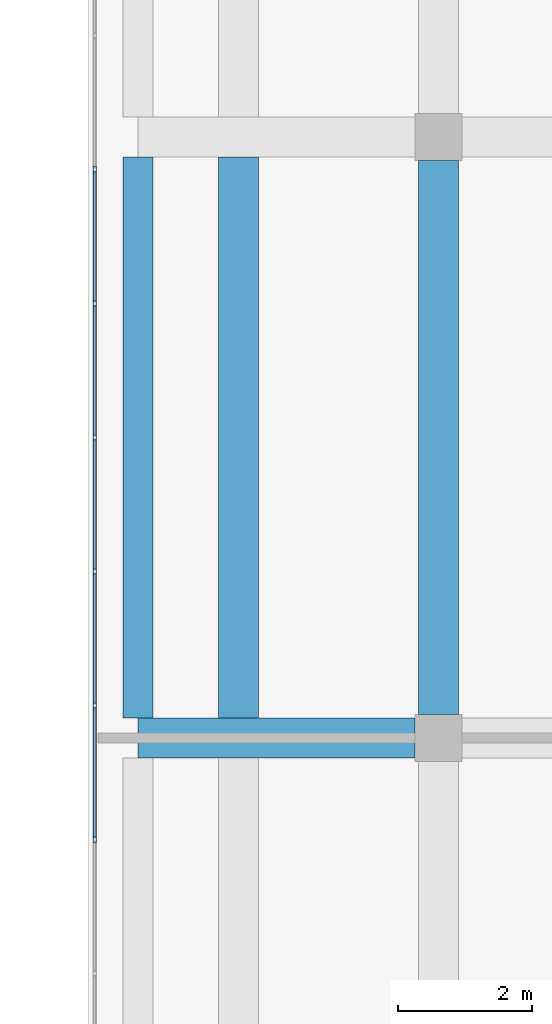
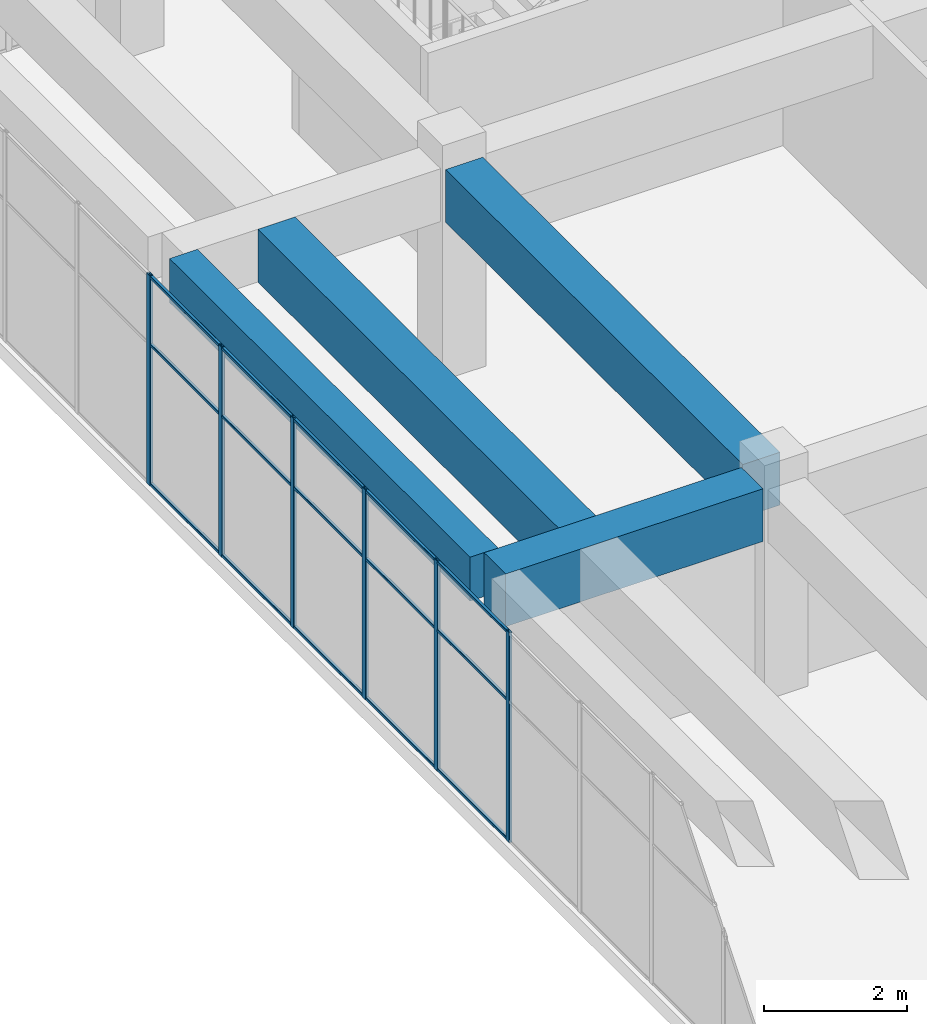
# One storey, part 8 of 32: 21 members, 4 beams, 1 element without a shape of its own.
"""IFC4 building model written with IfcOpenShell, lengths in metres."""

from ifc_helpers import new_model, si_unit, direction, frame, origin, origin_2d, place, context, subcontext, project, spatial, rectangle, hollow_rectangle, extrude, material, layer, layer_set, material_profile, profile_set, type_object, element, aggregate, save


model = new_model("IFC4")

# Units and contexts
model_context = context("Model", 3, precision=1e-05, world=origin(), true_north=direction((0.0, 1.0)))
body_context = subcontext(model_context, "Body", "Model", "MODEL_VIEW")
ifc_project = project(units=[si_unit("LENGTHUNIT", "METRE"), si_unit("AREAUNIT", "SQUARE_METRE"), si_unit("VOLUMEUNIT", "CUBIC_METRE"), si_unit("PLANEANGLEUNIT", "RADIAN"), si_unit("MASSUNIT", "GRAM", prefix="KILO")], contexts=[model_context])

# Site, building, storey
site_placement = place(None, origin())
site = spatial("IfcSite", under=ifc_project, at=site_placement, CompositionType="ELEMENT")
building_placement = place(site_placement, origin())
building = spatial("IfcBuilding", under=site, at=building_placement, Name="Tuart Plaza Theatre", CompositionType="ELEMENT")
storey_placement = place(building_placement, frame((0.0, 0.0, 37.5)))
storey = spatial("IfcBuildingStorey", under=building, at=storey_placement, Name="L09", CompositionType="ELEMENT", Elevation=37.5)

# Beams
ifc_material_1 = material(Name="Concrete N40 (40 MPa)", Category="concrete")
ifc_material_profile_1 = material_profile(ifc_material_1, rectangle(XDim=0.449951171875, YDim=0.75, at=origin_2d()), Name="BEAM 450x750 Concrete N40 (40 MPa)")
ifc_profile_set_1 = profile_set([ifc_material_profile_1], Name="Concrete N40 (40 MPa)")
beam_type_1 = type_object("IfcBeamType", Name="BEAM 450x750 Concrete N40 (40 MPa)", PredefinedType="BEAM", material=ifc_profile_set_1)
beam_1_placement = place(storey_placement, frame((109.5, 74.300048828125, 3.205078125), z_axis=(0.0, 1.0, 0.0), x_axis=(-1.0, 0.0, 0.0)))
element("IfcBeam", 1, at=beam_1_placement, inside=storey, type_object=beam_type_1, Name="RB250", PredefinedType="BEAM", context=body_context, shape_type="SweptSolid", body=[
    extrude(rectangle(XDim=0.449951171875, YDim=0.75, at=origin_2d()), origin(), (0.0, 0.0, 1.0), 8.39990234375),
])
ifc_material_2 = material(Name="Concrete N40 (40 MPa)", Category="concrete")
ifc_material_profile_2 = material_profile(ifc_material_2, rectangle(XDim=0.60009765625, YDim=0.89990234375, at=origin_2d()), Name="BEAM 600x900 Concrete N40 (40 MPa)")
ifc_profile_set_2 = profile_set([ifc_material_profile_2], Name="Concrete N40 (40 MPa)")
beam_type_2 = type_object("IfcBeamType", Name="BEAM 600x900 Concrete N40 (40 MPa)", PredefinedType="BEAM", material=ifc_profile_set_2)
beam_2_placement = place(storey_placement, frame((109.5, 74.0, 3.1298828125), z_axis=(1.0, 0.0, 0.0), x_axis=(0.0, 1.0, 0.0)))
element("IfcBeam", 2, at=beam_2_placement, inside=storey, type_object=beam_type_2, Name="RB251", PredefinedType="BEAM", context=body_context, shape_type="SweptSolid", body=[
    extrude(rectangle(XDim=0.60009765625, YDim=0.89990234375, at=origin_2d()), origin(), (0.0, 0.0, 1.0), 4.14990234375),
])
beam_3_placement = place(storey_placement, frame((111.0, 74.300048828125, 3.1298828125), z_axis=(0.0, 1.0, 0.0), x_axis=(-1.0, 0.0, 0.0)))
element("IfcBeam", 3, at=beam_3_placement, inside=storey, type_object=beam_type_2, Name="RB280", PredefinedType="BEAM", context=body_context, shape_type="SweptSolid", body=[
    extrude(rectangle(XDim=0.60009765625, YDim=0.89990234375, at=origin_2d()), origin(), (0.0, 0.0, 1.0), 8.39990234375),
])
beam_4_placement = place(storey_placement, frame((114.0, 74.35009765625, 3.1298828125), z_axis=(0.0, 1.0, 0.0), x_axis=(-1.0, 0.0, 0.0)))
element("IfcBeam", 4, at=beam_4_placement, inside=storey, type_object=beam_type_2, Name="RB259", PredefinedType="BEAM", context=body_context, shape_type="SweptSolid", body=[
    extrude(rectangle(XDim=0.60009765625, YDim=0.89990234375, at=origin_2d()), origin(), (0.0, 0.0, 1.0), 8.2998046875),
])

# Curtain wall, members
ifc_material_3 = material(Name="Aluminium and glass", Category="aluminium")
ifc_layer = layer(ifc_material_3, 0.10009765625)
ifc_layer_set = layer_set([ifc_layer], Name="CURTAIN WALL 2000 module")
curtain_wall_type = type_object("IfcCurtainWallType", Name="CURTAIN WALL 2000 module", PredefinedType="NOTDEFINED", material=ifc_layer_set)
curtain_wall_placement = place(storey_placement, origin())
curtain_wall = element("IfcCurtainWall", 5, at=curtain_wall_placement, inside=storey, type_object=curtain_wall_type, Name="CW97", PredefinedType="NOTDEFINED")
ifc_material_4 = material(Name="Aluminium 6063-T5", Category="aluminium")
ifc_material_profile_3 = material_profile(ifc_material_4, hollow_rectangle(XDim=0.050048828125, YDim=0.10009765625, WallThickness=0.00390625, InnerFilletRadius=0.00390625, OuterFilletRadius=0.008056640625, at=origin_2d()), Name="RHS 100x50x4")
ifc_profile_set_3 = profile_set([ifc_material_profile_3], Name="Aluminium 6063-T5")
member_type_1 = type_object("IfcMemberType", Name="MULLION RHS 100x50x4", PredefinedType="MULLION", material=ifc_profile_set_3)
member_1_placement = place(storey_placement, frame((108.85009765625, 82.514404296875, 0.0), z_axis=(0.0, 0.0, 1.0), x_axis=(1.0, 0.0, 0.0)))
member_1 = element("IfcMember", 6, at=member_1_placement, type_object=member_type_1, Name="CW97 mullion 6", PredefinedType="MULLION", context=body_context, shape_type="SweptSolid", body=[
    extrude(hollow_rectangle(XDim=0.050048828125, YDim=0.10009765625, WallThickness=0.00390625, InnerFilletRadius=0.00390625, OuterFilletRadius=0.008056640625, at=origin_2d()), origin(), (0.0, 0.0, 1.0), 3.580078125),
])
member_2_placement = place(storey_placement, frame((108.85009765625, 80.507080078125, 0.0), z_axis=(0.0, 0.0, 1.0), x_axis=(1.0, 0.0, 0.0)))
member_2 = element("IfcMember", 7, at=member_2_placement, type_object=member_type_1, Name="CW97 mullion 7", PredefinedType="MULLION", context=body_context, shape_type="SweptSolid", body=[
    extrude(hollow_rectangle(XDim=0.050048828125, YDim=0.10009765625, WallThickness=0.00390625, InnerFilletRadius=0.00390625, OuterFilletRadius=0.008056640625, at=origin_2d()), origin(), (0.0, 0.0, 1.0), 3.580078125),
])
member_3_placement = place(storey_placement, frame((108.85009765625, 78.5, 0.0), z_axis=(0.0, 0.0, 1.0), x_axis=(1.0, 0.0, 0.0)))
member_3 = element("IfcMember", 8, at=member_3_placement, type_object=member_type_1, Name="CW97 mullion 8", PredefinedType="MULLION", context=body_context, shape_type="SweptSolid", body=[
    extrude(hollow_rectangle(XDim=0.050048828125, YDim=0.10009765625, WallThickness=0.00390625, InnerFilletRadius=0.00390625, OuterFilletRadius=0.008056640625, at=origin_2d()), origin(), (0.0, 0.0, 1.0), 3.580078125),
])
member_4_placement = place(storey_placement, frame((108.85009765625, 76.492919921875, 0.0), z_axis=(0.0, 0.0, 1.0), x_axis=(1.0, 0.0, 0.0)))
member_4 = element("IfcMember", 9, at=member_4_placement, type_object=member_type_1, Name="CW97 mullion 9", PredefinedType="MULLION", context=body_context, shape_type="SweptSolid", body=[
    extrude(hollow_rectangle(XDim=0.050048828125, YDim=0.10009765625, WallThickness=0.00390625, InnerFilletRadius=0.00390625, OuterFilletRadius=0.008056640625, at=origin_2d()), origin(), (0.0, 0.0, 1.0), 3.580078125),
])
member_5_placement = place(storey_placement, frame((108.85009765625, 74.485595703125, 0.0), z_axis=(0.0, 0.0, 1.0), x_axis=(1.0, 0.0, 0.0)))
member_5 = element("IfcMember", 10, at=member_5_placement, type_object=member_type_1, Name="CW97 mullion 10", PredefinedType="MULLION", context=body_context, shape_type="SweptSolid", body=[
    extrude(hollow_rectangle(XDim=0.050048828125, YDim=0.10009765625, WallThickness=0.00390625, InnerFilletRadius=0.00390625, OuterFilletRadius=0.008056640625, at=origin_2d()), origin(), (0.0, 0.0, 1.0), 3.580078125),
])
member_6_placement = place(storey_placement, frame((108.85009765625, 72.478515625, 0.0), z_axis=(0.0, 0.0, 1.0), x_axis=(1.0, 0.0, 0.0)))
member_6 = element("IfcMember", 11, at=member_6_placement, type_object=member_type_1, Name="CW97 mullion 11", PredefinedType="MULLION", context=body_context, shape_type="SweptSolid", body=[
    extrude(hollow_rectangle(XDim=0.050048828125, YDim=0.10009765625, WallThickness=0.00390625, InnerFilletRadius=0.00390625, OuterFilletRadius=0.008056640625, at=origin_2d()), origin(), (0.0, 0.0, 1.0), 3.580078125),
])
ifc_material_5 = material(Name="Aluminium 6063-T5", Category="aluminium")
ifc_material_profile_4 = material_profile(ifc_material_5, hollow_rectangle(XDim=0.050048828125, YDim=0.050048828125, WallThickness=0.00390625, InnerFilletRadius=0.00390625, OuterFilletRadius=0.008056640625, at=origin_2d()), Name="RHS 50x50x4")
ifc_profile_set_4 = profile_set([ifc_material_profile_4], Name="Aluminium 6063-T5")
member_type_2 = type_object("IfcMemberType", Name="TRANSOM RHS 50x50x4", PredefinedType="USERDEFINED", material=ifc_profile_set_4)
member_7_placement = place(storey_placement, frame((108.85009765625, 82.4892578125, 0.02490234375), z_axis=(0.0, -1.0, 0.0), x_axis=(1.0, 0.0, 0.0)))
member_7 = element("IfcMember", 12, at=member_7_placement, type_object=member_type_2, Name="CW97 transom 6.1", ObjectType="TRANSOM", PredefinedType="USERDEFINED", context=body_context, shape_type="SweptSolid", body=[
    extrude(hollow_rectangle(XDim=0.050048828125, YDim=0.050048828125, WallThickness=0.00390625, InnerFilletRadius=0.00390625, OuterFilletRadius=0.008056640625, at=origin_2d()), origin(), (0.0, 0.0, 1.0), 1.95703125),
])
member_8_placement = place(storey_placement, frame((108.85009765625, 82.4892578125, 2.39990234375), z_axis=(0.0, -1.0, 0.0), x_axis=(1.0, 0.0, 0.0)))
member_8 = element("IfcMember", 13, at=member_8_placement, type_object=member_type_2, Name="CW97 transom 6.2", ObjectType="TRANSOM", PredefinedType="USERDEFINED", context=body_context, shape_type="SweptSolid", body=[
    extrude(hollow_rectangle(XDim=0.050048828125, YDim=0.050048828125, WallThickness=0.00390625, InnerFilletRadius=0.00390625, OuterFilletRadius=0.008056640625, at=origin_2d()), origin(), (0.0, 0.0, 1.0), 1.95703125),
])
member_9_placement = place(storey_placement, frame((108.85009765625, 82.4892578125, 3.554931640625), z_axis=(0.0, -1.0, 0.0), x_axis=(1.0, 0.0, 0.0)))
member_9 = element("IfcMember", 14, at=member_9_placement, type_object=member_type_2, Name="CW97 transom 6.3", ObjectType="TRANSOM", PredefinedType="USERDEFINED", context=body_context, shape_type="SweptSolid", body=[
    extrude(hollow_rectangle(XDim=0.050048828125, YDim=0.050048828125, WallThickness=0.00390625, InnerFilletRadius=0.00390625, OuterFilletRadius=0.008056640625, at=origin_2d()), origin(), (0.0, 0.0, 1.0), 1.95703125),
])
member_10_placement = place(storey_placement, frame((108.85009765625, 80.482177734375, 0.02490234375), z_axis=(0.0, -1.0, 0.0), x_axis=(1.0, 0.0, 0.0)))
member_10 = element("IfcMember", 15, at=member_10_placement, type_object=member_type_2, Name="CW97 transom 7.1", ObjectType="TRANSOM", PredefinedType="USERDEFINED", context=body_context, shape_type="SweptSolid", body=[
    extrude(hollow_rectangle(XDim=0.050048828125, YDim=0.050048828125, WallThickness=0.00390625, InnerFilletRadius=0.00390625, OuterFilletRadius=0.008056640625, at=origin_2d()), origin(), (0.0, 0.0, 1.0), 1.957275390625),
])
member_11_placement = place(storey_placement, frame((108.85009765625, 80.482177734375, 2.39990234375), z_axis=(0.0, -1.0, 0.0), x_axis=(1.0, 0.0, 0.0)))
member_11 = element("IfcMember", 16, at=member_11_placement, type_object=member_type_2, Name="CW97 transom 7.2", ObjectType="TRANSOM", PredefinedType="USERDEFINED", context=body_context, shape_type="SweptSolid", body=[
    extrude(hollow_rectangle(XDim=0.050048828125, YDim=0.050048828125, WallThickness=0.00390625, InnerFilletRadius=0.00390625, OuterFilletRadius=0.008056640625, at=origin_2d()), origin(), (0.0, 0.0, 1.0), 1.957275390625),
])
member_12_placement = place(storey_placement, frame((108.85009765625, 80.482177734375, 3.554931640625), z_axis=(0.0, -1.0, 0.0), x_axis=(1.0, 0.0, 0.0)))
member_12 = element("IfcMember", 17, at=member_12_placement, type_object=member_type_2, Name="CW97 transom 7.3", ObjectType="TRANSOM", PredefinedType="USERDEFINED", context=body_context, shape_type="SweptSolid", body=[
    extrude(hollow_rectangle(XDim=0.050048828125, YDim=0.050048828125, WallThickness=0.00390625, InnerFilletRadius=0.00390625, OuterFilletRadius=0.008056640625, at=origin_2d()), origin(), (0.0, 0.0, 1.0), 1.957275390625),
])
member_13_placement = place(storey_placement, frame((108.85009765625, 78.47509765625, 0.02490234375), z_axis=(0.0, -1.0, 0.0), x_axis=(1.0, 0.0, 0.0)))
member_13 = element("IfcMember", 18, at=member_13_placement, type_object=member_type_2, Name="CW97 transom 8.1", ObjectType="TRANSOM", PredefinedType="USERDEFINED", context=body_context, shape_type="SweptSolid", body=[
    extrude(hollow_rectangle(XDim=0.050048828125, YDim=0.050048828125, WallThickness=0.00390625, InnerFilletRadius=0.00390625, OuterFilletRadius=0.008056640625, at=origin_2d()), origin(), (0.0, 0.0, 1.0), 1.957275390625),
])
member_14_placement = place(storey_placement, frame((108.85009765625, 78.47509765625, 2.39990234375), z_axis=(0.0, -1.0, 0.0), x_axis=(1.0, 0.0, 0.0)))
member_14 = element("IfcMember", 19, at=member_14_placement, type_object=member_type_2, Name="CW97 transom 8.2", ObjectType="TRANSOM", PredefinedType="USERDEFINED", context=body_context, shape_type="SweptSolid", body=[
    extrude(hollow_rectangle(XDim=0.050048828125, YDim=0.050048828125, WallThickness=0.00390625, InnerFilletRadius=0.00390625, OuterFilletRadius=0.008056640625, at=origin_2d()), origin(), (0.0, 0.0, 1.0), 1.957275390625),
])
member_15_placement = place(storey_placement, frame((108.85009765625, 78.47509765625, 3.554931640625), z_axis=(0.0, -1.0, 0.0), x_axis=(1.0, 0.0, 0.0)))
member_15 = element("IfcMember", 20, at=member_15_placement, type_object=member_type_2, Name="CW97 transom 8.3", ObjectType="TRANSOM", PredefinedType="USERDEFINED", context=body_context, shape_type="SweptSolid", body=[
    extrude(hollow_rectangle(XDim=0.050048828125, YDim=0.050048828125, WallThickness=0.00390625, InnerFilletRadius=0.00390625, OuterFilletRadius=0.008056640625, at=origin_2d()), origin(), (0.0, 0.0, 1.0), 1.957275390625),
])
member_16_placement = place(storey_placement, frame((108.85009765625, 76.4677734375, 0.02490234375), z_axis=(0.0, -1.0, 0.0), x_axis=(1.0, 0.0, 0.0)))
member_16 = element("IfcMember", 21, at=member_16_placement, type_object=member_type_2, Name="CW97 transom 9.1", ObjectType="TRANSOM", PredefinedType="USERDEFINED", context=body_context, shape_type="SweptSolid", body=[
    extrude(hollow_rectangle(XDim=0.050048828125, YDim=0.050048828125, WallThickness=0.00390625, InnerFilletRadius=0.00390625, OuterFilletRadius=0.008056640625, at=origin_2d()), origin(), (0.0, 0.0, 1.0), 1.95703125),
])
member_17_placement = place(storey_placement, frame((108.85009765625, 76.4677734375, 2.39990234375), z_axis=(0.0, -1.0, 0.0), x_axis=(1.0, 0.0, 0.0)))
member_17 = element("IfcMember", 22, at=member_17_placement, type_object=member_type_2, Name="CW97 transom 9.2", ObjectType="TRANSOM", PredefinedType="USERDEFINED", context=body_context, shape_type="SweptSolid", body=[
    extrude(hollow_rectangle(XDim=0.050048828125, YDim=0.050048828125, WallThickness=0.00390625, InnerFilletRadius=0.00390625, OuterFilletRadius=0.008056640625, at=origin_2d()), origin(), (0.0, 0.0, 1.0), 1.95703125),
])
member_18_placement = place(storey_placement, frame((108.85009765625, 76.4677734375, 3.554931640625), z_axis=(0.0, -1.0, 0.0), x_axis=(1.0, 0.0, 0.0)))
member_18 = element("IfcMember", 23, at=member_18_placement, type_object=member_type_2, Name="CW97 transom 9.3", ObjectType="TRANSOM", PredefinedType="USERDEFINED", context=body_context, shape_type="SweptSolid", body=[
    extrude(hollow_rectangle(XDim=0.050048828125, YDim=0.050048828125, WallThickness=0.00390625, InnerFilletRadius=0.00390625, OuterFilletRadius=0.008056640625, at=origin_2d()), origin(), (0.0, 0.0, 1.0), 1.95703125),
])
member_19_placement = place(storey_placement, frame((108.85009765625, 74.460693359375, 0.02490234375), z_axis=(0.0, -1.0, 0.0), x_axis=(1.0, 0.0, 0.0)))
member_19 = element("IfcMember", 24, at=member_19_placement, type_object=member_type_2, Name="CW97 transom 10.1", ObjectType="TRANSOM", PredefinedType="USERDEFINED", context=body_context, shape_type="SweptSolid", body=[
    extrude(hollow_rectangle(XDim=0.050048828125, YDim=0.050048828125, WallThickness=0.00390625, InnerFilletRadius=0.00390625, OuterFilletRadius=0.008056640625, at=origin_2d()), origin(), (0.0, 0.0, 1.0), 1.95703125),
])
member_20_placement = place(storey_placement, frame((108.85009765625, 74.460693359375, 2.39990234375), z_axis=(0.0, -1.0, 0.0), x_axis=(1.0, 0.0, 0.0)))
member_20 = element("IfcMember", 25, at=member_20_placement, type_object=member_type_2, Name="CW97 transom 10.2", ObjectType="TRANSOM", PredefinedType="USERDEFINED", context=body_context, shape_type="SweptSolid", body=[
    extrude(hollow_rectangle(XDim=0.050048828125, YDim=0.050048828125, WallThickness=0.00390625, InnerFilletRadius=0.00390625, OuterFilletRadius=0.008056640625, at=origin_2d()), origin(), (0.0, 0.0, 1.0), 1.95703125),
])
member_21_placement = place(storey_placement, frame((108.85009765625, 74.460693359375, 3.554931640625), z_axis=(0.0, -1.0, 0.0), x_axis=(1.0, 0.0, 0.0)))
member_21 = element("IfcMember", 26, at=member_21_placement, type_object=member_type_2, Name="CW97 transom 10.3", ObjectType="TRANSOM", PredefinedType="USERDEFINED", context=body_context, shape_type="SweptSolid", body=[
    extrude(hollow_rectangle(XDim=0.050048828125, YDim=0.050048828125, WallThickness=0.00390625, InnerFilletRadius=0.00390625, OuterFilletRadius=0.008056640625, at=origin_2d()), origin(), (0.0, 0.0, 1.0), 1.95703125),
])
aggregate(curtain_wall, [member_1, member_2, member_3, member_4, member_5, member_6, member_7, member_8, member_9, member_10, member_11, member_12, member_13, member_14, member_15, member_16, member_17, member_18, member_19, member_20, member_21])

save(model, "model.ifc")
